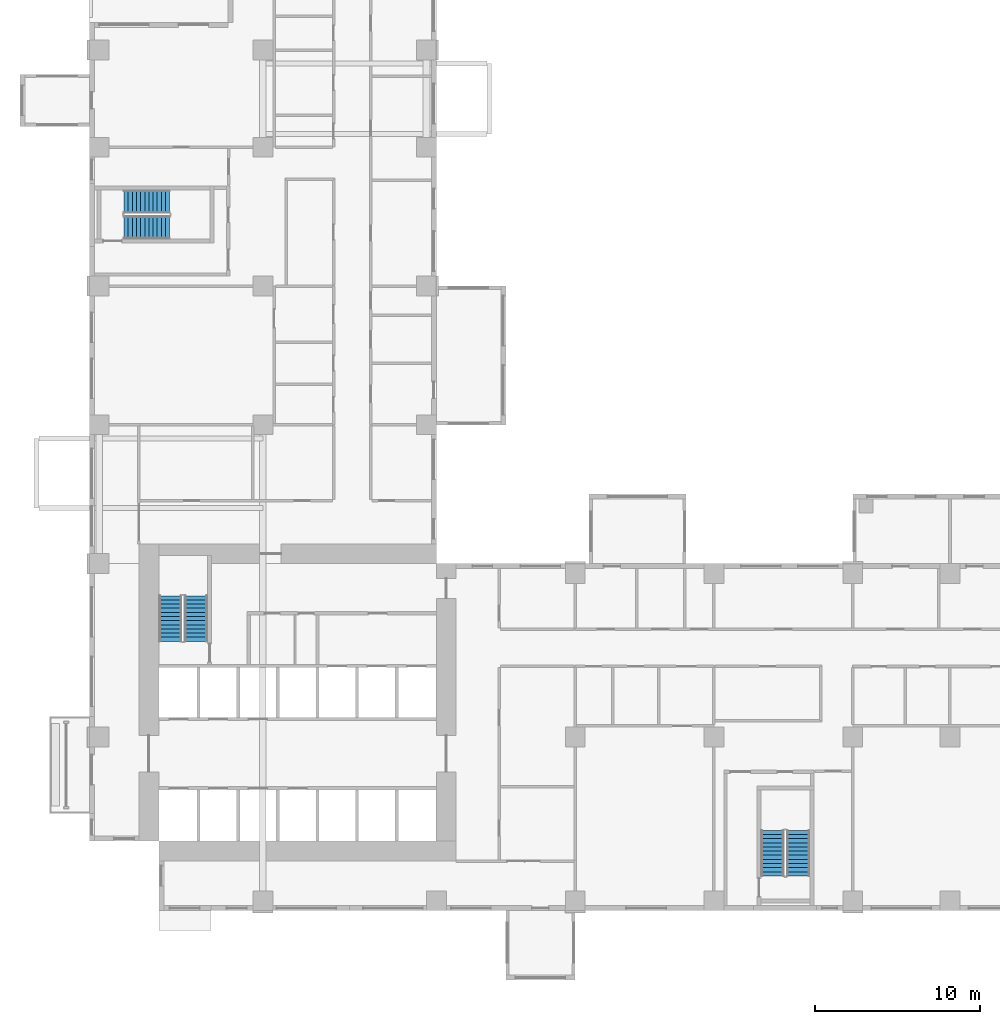
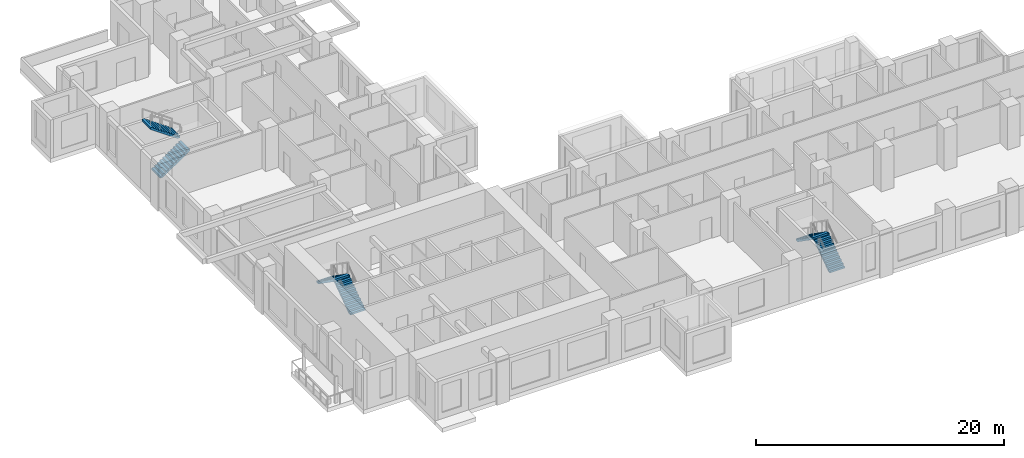
# One storey, part 10 of 15: 6 stair flights, 3 elements without a shape of their own.
"""IFC4 building model written with IfcOpenShell, lengths in metres."""

from ifc_helpers import new_model, si_unit, direction, frame, origin, place, context, subcontext, project, spatial, polyline, outline, extrude, source, transform, mapped, material, type_object, element, aggregate, save


model = new_model("IFC4")

# Units and contexts
model_context = context("Model", 3, precision=1e-05, world=origin(), true_north=direction((0.0, 1.0)))
body_context = subcontext(model_context, "Body", "Model", "MODEL_VIEW")
ifc_project = project(units=[si_unit("LENGTHUNIT", "METRE"), si_unit("AREAUNIT", "SQUARE_METRE"), si_unit("VOLUMEUNIT", "CUBIC_METRE"), si_unit("PLANEANGLEUNIT", "RADIAN"), si_unit("MASSUNIT", "GRAM", prefix="KILO")], contexts=[model_context])

# Site, building, storey
site_placement = place(None, origin())
site = spatial("IfcSite", under=ifc_project, at=site_placement, CompositionType="ELEMENT")
building_placement = place(site_placement, origin())
building = spatial("IfcBuilding", under=site, at=building_placement, Name="Aurelian Terraces", CompositionType="ELEMENT")
storey_placement = place(building_placement, frame((0.0, 0.0, 82.5)))
storey = spatial("IfcBuildingStorey", under=building, at=storey_placement, Name="L17", CompositionType="ELEMENT", Elevation=82.5)

# Stair, stair flights
ifc_material = material(Name="Concrete fc' 40 MPa", Category="concrete")
stair_type = type_object("IfcStairType", Name="Stair 1400", PredefinedType="HALF_TURN_STAIR", material=ifc_material)
stair_1_placement = place(storey_placement, origin())
stair_1 = element("IfcStair", 1, at=stair_1_placement, inside=storey, type_object=stair_type, Name="L17 S1", PredefinedType="HALF_TURN_STAIR")
stair_flight_type = type_object("IfcStairFlightType", Name="Stair flight 1400", PredefinedType="STRAIGHT", material=ifc_material)
shared_shape = source(origin(), body_context, "Body", "SweptSolid", [
    extrude(outline(polyline([(0.0, 0.0), (0.0, 0.175), (0.25, 0.175), (0.25, 0.35), (0.5, 0.35), (0.5, 0.525), (0.75, 0.525), (0.75, 0.7), (1.0, 0.7), (1.0, 0.875), (1.25, 0.875), (1.25, 1.05), (1.5, 1.05), (1.5, 1.225), (1.75, 1.225), (1.75, 1.4), (2.0, 1.4), (2.0, 1.575), (2.25, 1.575), (2.25, 1.75), (2.5, 1.75), (2.5, 1.925), (2.75, 1.925), (2.75, 2.1), (2.75, 1.7419), (0.2616, 0.0), (0.0, 0.0)])), frame((0.0, 0.7, 0.0), z_axis=(0.0, -1.0, 0.0), x_axis=(1.0, 0.0, 0.0)), (0.0, 0.0, 1.0), 1.4),
])
stair_flight_1_placement = place(storey_placement, frame((6.45, 16.3, 2e-08), z_axis=(0.0, 0.0, 1.0), x_axis=(0.0, 1.0, 0.0)))
stair_flight_1 = element("IfcStairFlight", 2, at=stair_flight_1_placement, type_object=stair_flight_type, Name="S1 flight 1", NumberOfRisers=12, NumberOfTreads=11, PredefinedType="STRAIGHT", RiserHeight=0.175, TreadLength=0.25, context=body_context, shape_type="MappedRepresentation", body=[
    mapped(shared_shape, transform((0.0, 0.0, 0.0), scale=1.0)),
])
stair_flight_2_placement = place(storey_placement, frame((4.9, 19.05, 2.100000019999994), z_axis=(0.0, 0.0, 1.0), x_axis=(0.0, -1.0, 0.0)))
stair_flight_2 = element("IfcStairFlight", 3, at=stair_flight_2_placement, type_object=stair_flight_type, Name="S1 flight 2", NumberOfRisers=12, NumberOfTreads=11, PredefinedType="STRAIGHT", RiserHeight=0.175, TreadLength=0.25, context=body_context, shape_type="MappedRepresentation", body=[
    mapped(shared_shape, transform((0.0, 0.0, 0.0), scale=1.0)),
])
aggregate(stair_1, [stair_flight_1, stair_flight_2])

stair_2_placement = place(storey_placement, origin())
stair_2 = element("IfcStair", 4, at=stair_2_placement, inside=storey, type_object=stair_type, Name="L17 S2", PredefinedType="HALF_TURN_STAIR")
stair_flight_3_placement = place(storey_placement, frame((42.9, 2.1, 2e-08), z_axis=(0.0, 0.0, 1.0), x_axis=(0.0, 1.0, 0.0)))
stair_flight_3 = element("IfcStairFlight", 5, at=stair_flight_3_placement, type_object=stair_flight_type, Name="S2 flight 1", NumberOfRisers=12, NumberOfTreads=11, PredefinedType="STRAIGHT", RiserHeight=0.175, TreadLength=0.25, context=body_context, shape_type="MappedRepresentation", body=[
    mapped(shared_shape, transform((0.0, 0.0, 0.0), scale=1.0)),
])
stair_flight_4_placement = place(storey_placement, frame((41.35, 4.85, 2.100000019999994), z_axis=(0.0, 0.0, 1.0), x_axis=(0.0, -1.0, 0.0)))
stair_flight_4 = element("IfcStairFlight", 6, at=stair_flight_4_placement, type_object=stair_flight_type, Name="S2 flight 2", NumberOfRisers=12, NumberOfTreads=11, PredefinedType="STRAIGHT", RiserHeight=0.175, TreadLength=0.25, context=body_context, shape_type="MappedRepresentation", body=[
    mapped(shared_shape, transform((0.0, 0.0, 0.0), scale=1.0)),
])
aggregate(stair_2, [stair_flight_3, stair_flight_4])

stair_3_placement = place(storey_placement, origin())
stair_3 = element("IfcStair", 7, at=stair_3_placement, inside=storey, type_object=stair_type, Name="L17 S3", PredefinedType="HALF_TURN_STAIR")
stair_flight_5_placement = place(storey_placement, frame((2.1, 41.35, 2e-08), z_axis=(0.0, 0.0, 1.0), x_axis=(1.0, 0.0, 0.0)))
stair_flight_5 = element("IfcStairFlight", 8, at=stair_flight_5_placement, type_object=stair_flight_type, Name="S3 flight 1", NumberOfRisers=12, NumberOfTreads=11, PredefinedType="STRAIGHT", RiserHeight=0.175, TreadLength=0.25, context=body_context, shape_type="MappedRepresentation", body=[
    mapped(shared_shape, transform((0.0, 0.0, 0.0), scale=1.0)),
])
stair_flight_6_placement = place(storey_placement, frame((4.85, 42.9, 2.100000019999994), z_axis=(0.0, 0.0, 1.0), x_axis=(-1.0, 0.0, 0.0)))
stair_flight_6 = element("IfcStairFlight", 9, at=stair_flight_6_placement, type_object=stair_flight_type, Name="S3 flight 2", NumberOfRisers=12, NumberOfTreads=11, PredefinedType="STRAIGHT", RiserHeight=0.175, TreadLength=0.25, context=body_context, shape_type="MappedRepresentation", body=[
    mapped(shared_shape, transform((0.0, 0.0, 0.0), scale=1.0)),
])
aggregate(stair_3, [stair_flight_5, stair_flight_6])

save(model, "model.ifc")
